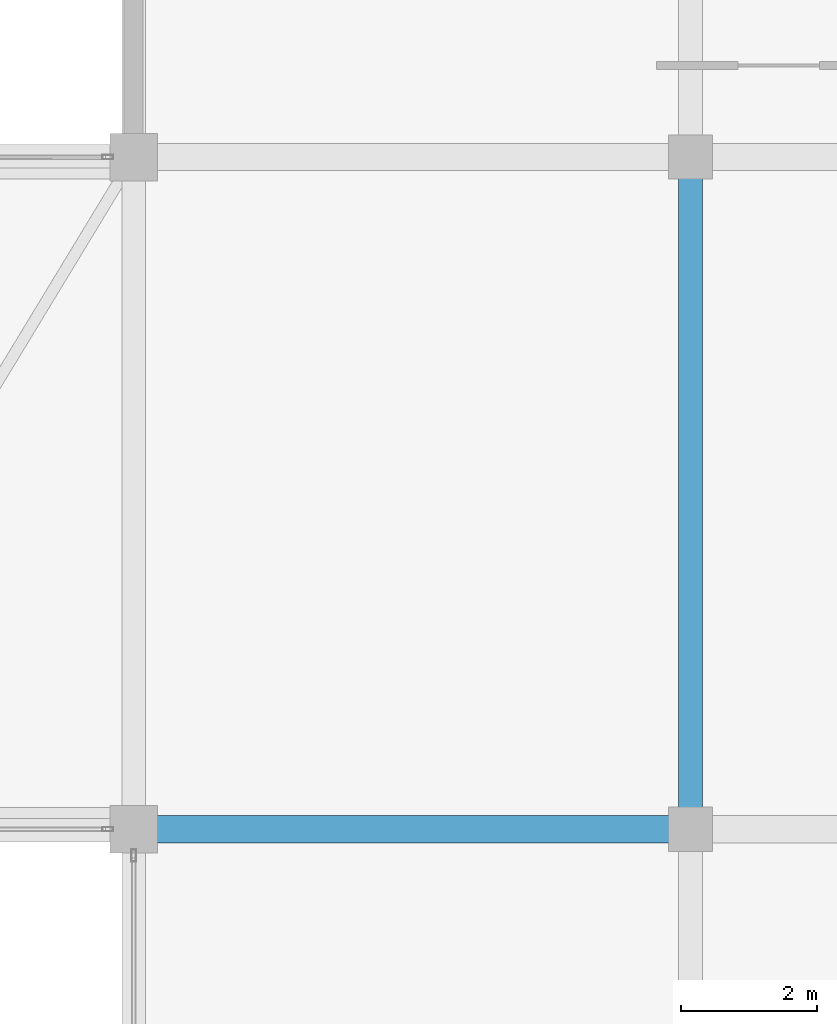
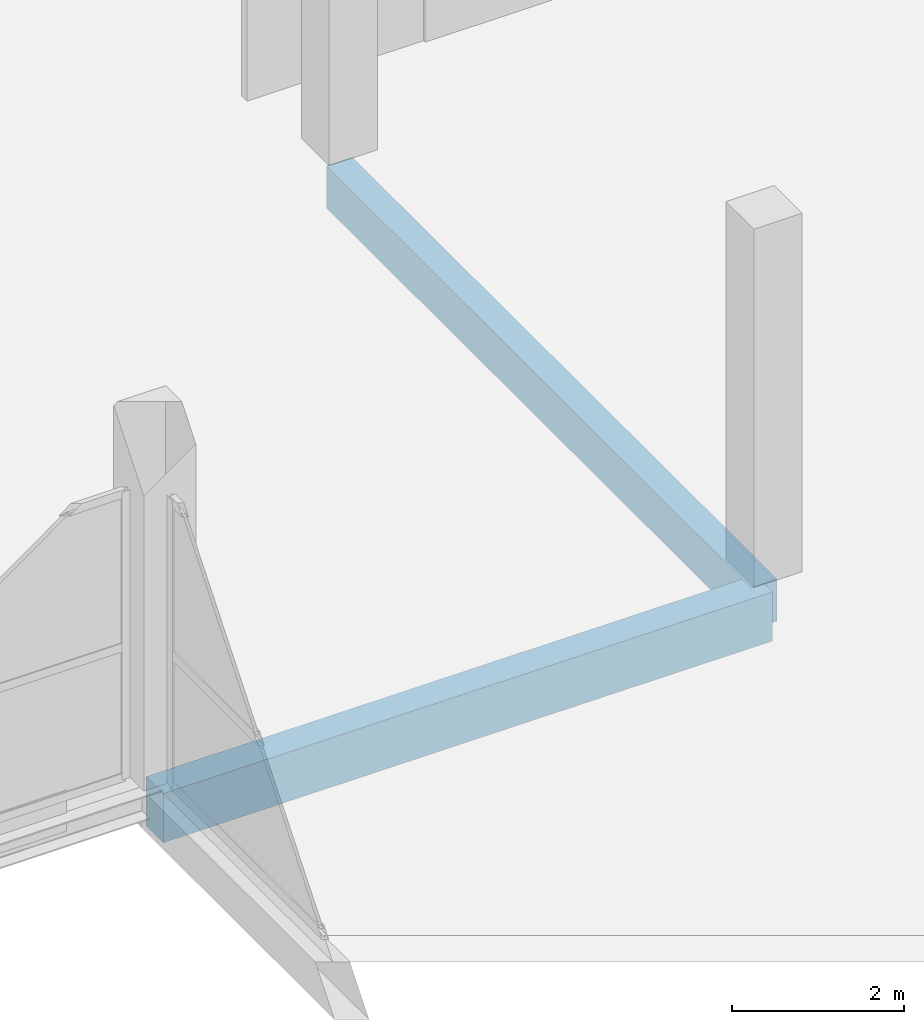
# One storey, part 37 of 67: 2 beams.
"""IFC4 building model written with IfcOpenShell, lengths in metres."""

from ifc_helpers import new_model, si_unit, direction, frame, origin, origin_2d, place, context, subcontext, project, spatial, rectangle, extrude, material, material_profile, profile_set, type_object, element, save


model = new_model("IFC4")

# Units and contexts
model_context = context("Model", 3, precision=1e-05, world=origin(), true_north=direction((0.0, 1.0)))
body_context = subcontext(model_context, "Body", "Model", "MODEL_VIEW")
ifc_project = project(units=[si_unit("LENGTHUNIT", "METRE"), si_unit("AREAUNIT", "SQUARE_METRE"), si_unit("VOLUMEUNIT", "CUBIC_METRE"), si_unit("PLANEANGLEUNIT", "RADIAN"), si_unit("MASSUNIT", "GRAM", prefix="KILO")], contexts=[model_context])

# Site, building, storey
site_placement = place(None, origin())
site = spatial("IfcSite", under=ifc_project, at=site_placement, CompositionType="ELEMENT")
building_placement = place(site_placement, origin())
building = spatial("IfcBuilding", under=site, at=building_placement, Name="Sillaruma Civic Art Gallery", CompositionType="ELEMENT")
storey_placement = place(building_placement, frame((0.0, 0.0, 46.919921875)))
storey = spatial("IfcBuildingStorey", under=building, at=storey_placement, Name="L09", CompositionType="ELEMENT", Elevation=46.919921875)

# Beams
ifc_material = material(Name="Concrete H35 (35 MPa)", Category="concrete")
ifc_material_profile_1 = material_profile(ifc_material, rectangle(XDim=0.35009765625, YDim=0.60009765625, at=origin_2d()), Name="RCB350x600")
ifc_profile_set_1 = profile_set([ifc_material_profile_1], Name="Concrete H35 (35 MPa)")
beam_type_1 = type_object("IfcBeamType", Name="BM-BEAM-RCB350x600", PredefinedType="BEAM", material=ifc_profile_set_1)
beam_1_placement = place(storey_placement, frame((106.199951171875, 69.300048828125, -0.5498046875), z_axis=(0.0, 1.0, 0.0), x_axis=(-1.0, 0.0, 0.0)))
element("IfcBeam", 1, at=beam_1_placement, inside=storey, type_object=beam_type_1, Name="Beam BM-06 (L08:M:8-9)", PredefinedType="BEAM", context=body_context, shape_type="SweptSolid", body=[
    extrude(rectangle(XDim=0.35009765625, YDim=0.60009765625, at=origin_2d()), origin(), (0.0, 0.0, 1.0), 9.89990234375),
])
ifc_material_profile_2 = material_profile(ifc_material, rectangle(XDim=0.39990234375, YDim=0.699951171875, at=origin_2d()), Name="RCB400x700")
ifc_profile_set_2 = profile_set([ifc_material_profile_2], Name="Concrete H35 (35 MPa)")
beam_type_2 = type_object("IfcBeamType", Name="BM-BEAM-RCB400x700", PredefinedType="BEAM", material=ifc_profile_set_2)
beam_2_placement = place(storey_placement, frame((98.0, 69.300048828125, -0.599853515625), z_axis=(1.0, 0.0, 0.0), x_axis=(0.0, 1.0, 0.0)))
element("IfcBeam", 2, at=beam_2_placement, inside=storey, type_object=beam_type_2, Name="Beam BM-04 (L08:8:L-M)", PredefinedType="BEAM", context=body_context, shape_type="SweptSolid", body=[
    extrude(rectangle(XDim=0.39990234375, YDim=0.699951171875, at=origin_2d()), origin(), (0.0, 0.0, 1.0), 8.199951171875),
])

save(model, "model.ifc")
